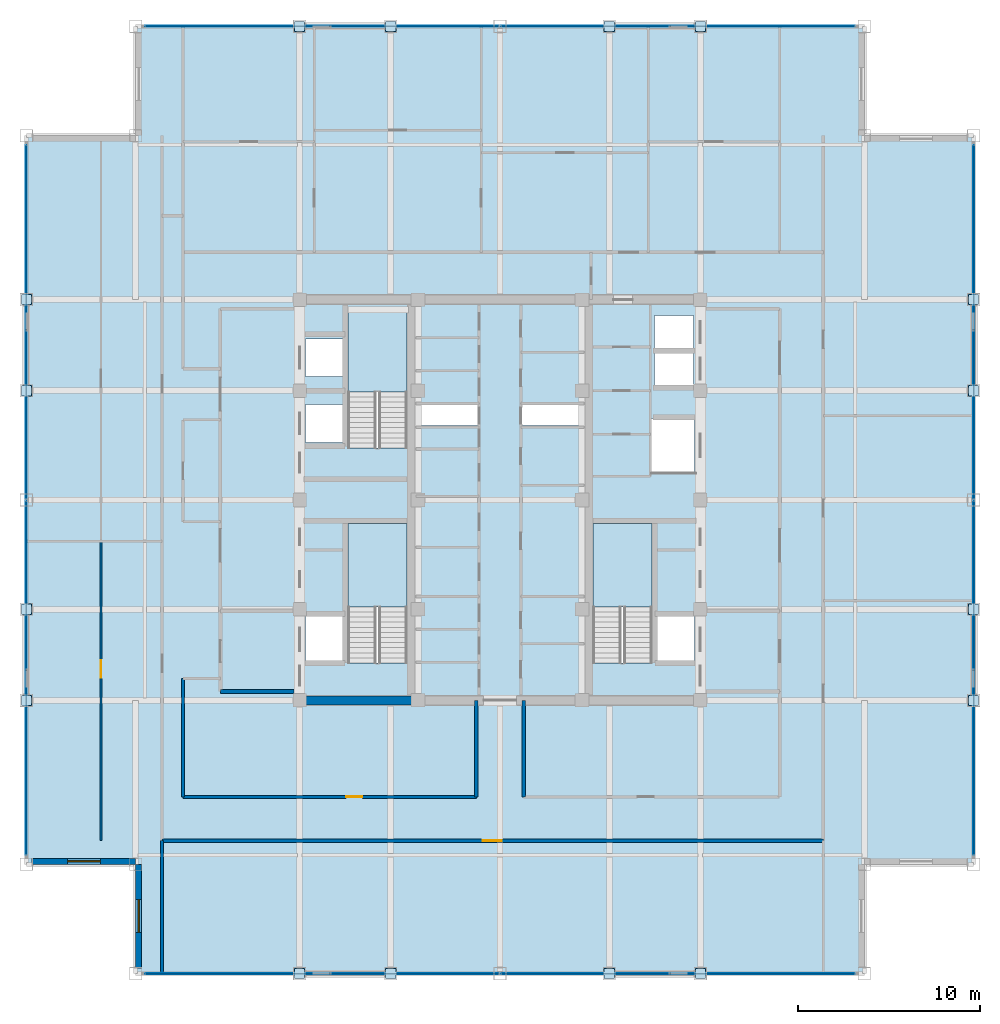
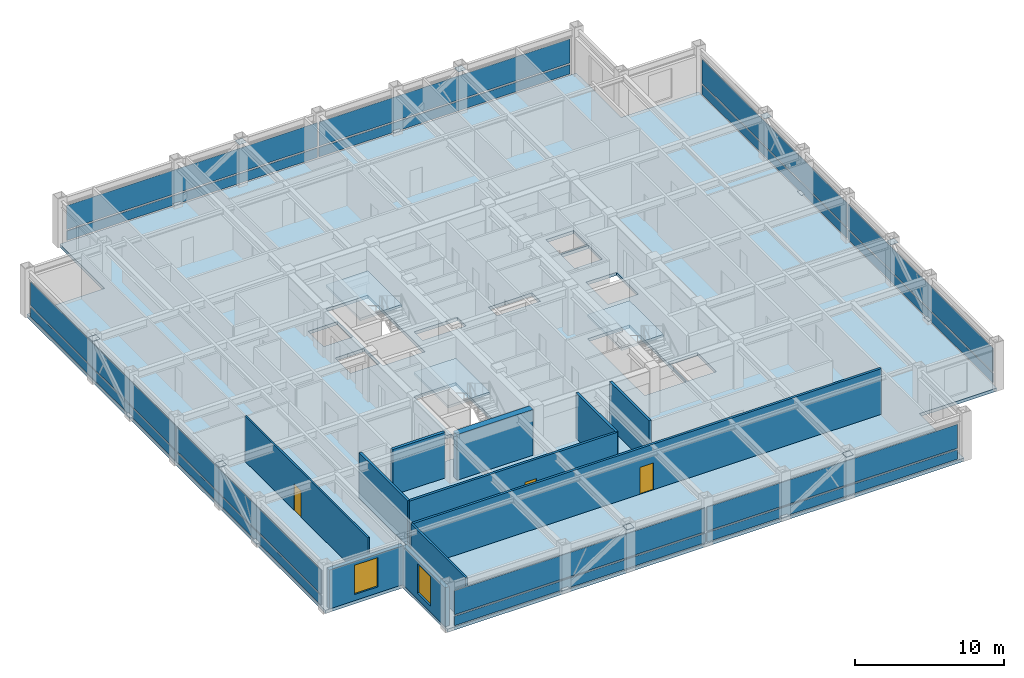
# One storey, part 23 of 29: 32 plates, 11 walls, 4 slabs, 3 doors, 2 windows, 5 openings, 7 elements without a shape of their own.
"""IFC4 building model written with IfcOpenShell, lengths in metres."""

from ifc_helpers import new_model, si_unit, direction, frame, frame_2d, origin, origin_2d, place, context, subcontext, project, spatial, polyline, rectangle, outline, extrude, source, transform, mapped, material, layer, layer_set, type_object, element, fill, aggregate, save


model = new_model("IFC4")

# Units and contexts
model_context = context("Model", 3, precision=1e-05, world=origin(), true_north=direction((0.0, 1.0)))
body_context = subcontext(model_context, "Body", "Model", "MODEL_VIEW")
ifc_project = project(units=[si_unit("LENGTHUNIT", "METRE"), si_unit("AREAUNIT", "SQUARE_METRE"), si_unit("VOLUMEUNIT", "CUBIC_METRE"), si_unit("PLANEANGLEUNIT", "RADIAN"), si_unit("MASSUNIT", "GRAM", prefix="KILO")], contexts=[model_context])

# Site, building, storey
site_placement = place(None, origin())
site = spatial("IfcSite", under=ifc_project, at=site_placement, CompositionType="ELEMENT")
building_placement = place(site_placement, origin())
building = spatial("IfcBuilding", under=site, at=building_placement, Name="Khorayat Bourse Tower", CompositionType="ELEMENT")
storey_placement = place(building_placement, frame((0.0, 0.0, 366.300048828125)))
storey = spatial("IfcBuildingStorey", under=building, at=storey_placement, Name="L87", CompositionType="ELEMENT", Elevation=366.300048828125)

# Stair, slab
ifc_material_1 = material(Name="Concrete C40/50", Category="concrete")
stair_type = type_object("IfcStairType", Name="STR-CORE-1550", PredefinedType="HALF_TURN_STAIR", material=ifc_material_1)
stair_1_placement = place(storey_placement, origin())
stair_1 = element("IfcStair", 1, at=stair_1_placement, inside=storey, type_object=stair_type, Name="L87 Exit Stair ST-1", PredefinedType="HALF_TURN_STAIR")
ifc_layer_1 = layer(ifc_material_1, 0.199951171875)
ifc_layer_set_1 = layer_set([ifc_layer_1], Name="Concrete C40/50")
slab_type_1 = type_object("IfcSlabType", Name="SLB-LANDING-200", PredefinedType="LANDING", material=ifc_layer_set_1)
slab_1_placement = place(storey_placement, frame((0.0, 0.0, 1.800048828125)))
slab_1 = element("IfcSlab", 2, at=slab_1_placement, type_object=slab_type_1, Name="ST-1 landing 1", PredefinedType="LANDING", context=body_context, shape_type="SweptSolid", body=[
    extrude(outline(polyline([(-5.10009765625, -5.8701171875), (-5.10009765625, -1.300048828125), (-8.35009765625, -1.300048828125), (-8.35009765625, -5.8701171875), (-5.10009765625, -5.8701171875)])), origin(), (0.0, 0.0, 1.0), 0.199951171875),
])
aggregate(stair_1, [slab_1])

stair_2_placement = place(storey_placement, origin())
stair_2 = element("IfcStair", 3, at=stair_2_placement, inside=storey, type_object=stair_type, Name="L87 Exit Stair ST-2", PredefinedType="HALF_TURN_STAIR")
slab_2_placement = place(storey_placement, frame((0.0, 0.0, 1.800048828125)))
slab_2 = element("IfcSlab", 4, at=slab_2_placement, type_object=slab_type_1, Name="ST-2 landing 1", PredefinedType="LANDING", context=body_context, shape_type="SweptSolid", body=[
    extrude(outline(polyline([(-5.10009765625, 5.929931640625), (-5.10009765625, 10.5), (-8.35009765625, 10.5), (-8.35009765625, 5.929931640625), (-5.10009765625, 5.929931640625)])), origin(), (0.0, 0.0, 1.0), 0.199951171875),
])
aggregate(stair_2, [slab_2])

stair_3_placement = place(storey_placement, origin())
stair_3 = element("IfcStair", 5, at=stair_3_placement, inside=storey, type_object=stair_type, Name="L87 Exit Stair ST-3", PredefinedType="HALF_TURN_STAIR")
slab_3_placement = place(storey_placement, frame((0.0, 0.0, 1.800048828125)))
slab_3 = element("IfcSlab", 6, at=slab_3_placement, type_object=slab_type_1, Name="ST-3 landing 1", PredefinedType="LANDING", context=body_context, shape_type="SweptSolid", body=[
    extrude(outline(polyline([(8.35009765625, -5.8701171875), (8.35009765625, -1.300048828125), (5.10009765625, -1.300048828125), (5.10009765625, -5.8701171875), (8.35009765625, -5.8701171875)])), origin(), (0.0, 0.0, 1.0), 0.199951171875),
])
aggregate(stair_3, [slab_3])

# Slab
ifc_layer_2 = layer(ifc_material_1, 0.219970703125)
ifc_layer_set_2 = layer_set([ifc_layer_2], Name="Concrete C40/50")
slab_type_2 = type_object("IfcSlabType", Name="SLB-OFFICE-220", PredefinedType="FLOOR", material=ifc_layer_set_2)
slab_4_placement = place(storey_placement, frame((0.0, 0.0, -0.260009765625)))
element("IfcSlab", 7, at=slab_4_placement, inside=storey, type_object=slab_type_2, Name="L87 Main Floor Slab", PredefinedType="FLOOR", context=body_context, shape_type="SweptSolid", body=[
    extrude(outline(polyline([(-20.0, -26.0), (20.0, -26.0), (20.0, -20.0), (26.0, -20.0), (26.0, 20.0), (20.0, 20.0), (20.0, 26.0), (-20.0, 26.0), (-20.0, 20.0), (-26.0, 20.0), (-26.0, -20.0), (-20.0, -20.0), (-20.0, -26.0)]), holes=[polyline([(-8.35009765625, -8.945068359375), (-5.10009765625, -8.945068359375), (-5.10009765625, -1.300048828125), (-8.35009765625, -1.300048828125), (-8.35009765625, -8.945068359375)]), polyline([(-8.35009765625, 2.85498046875), (-5.10009765625, 2.85498046875), (-5.10009765625, 10.5), (-8.35009765625, 10.5), (-8.35009765625, 2.85498046875)]), polyline([(5.10009765625, -8.945068359375), (8.35009765625, -8.945068359375), (8.35009765625, -1.300048828125), (5.10009765625, -1.300048828125), (5.10009765625, -8.945068359375)]), polyline([(-10.679931640625, 3.169921875), (-8.419921875, 3.169921875), (-8.419921875, 5.22998046875), (-10.679931640625, 5.22998046875), (-10.679931640625, 3.169921875)]), polyline([(-10.679931640625, 6.77001953125), (-8.419921875, 6.77001953125), (-8.419921875, 8.830078125), (-10.679931640625, 8.830078125), (-10.679931640625, 6.77001953125)]), polyline([(8.469970703125, 6.27001953125), (10.6298828125, 6.27001953125), (10.6298828125, 8.1298828125), (8.469970703125, 8.1298828125), (8.469970703125, 6.27001953125)]), polyline([(8.469970703125, 8.27001953125), (10.6298828125, 8.27001953125), (10.6298828125, 10.1298828125), (8.469970703125, 10.1298828125), (8.469970703125, 8.27001953125)]), polyline([(-10.679931640625, -8.929931640625), (-8.419921875, -8.929931640625), (-8.419921875, -6.3701171875), (-10.679931640625, -6.3701171875), (-10.679931640625, -8.929931640625)]), polyline([(8.419921875, -8.929931640625), (10.679931640625, -8.929931640625), (10.679931640625, -6.3701171875), (8.419921875, -6.3701171875), (8.419921875, -8.929931640625)]), polyline([(8.320068359375, 1.52001953125), (10.679931640625, 1.52001953125), (10.679931640625, 4.47998046875), (8.320068359375, 4.47998046875), (8.320068359375, 1.52001953125)]), polyline([(-4.56005859375, 4.080078125), (-1.18994140625, 4.080078125), (-1.18994140625, 5.219970703125), (-4.56005859375, 5.219970703125), (-4.56005859375, 4.080078125)]), polyline([(1.18994140625, 4.080078125), (4.56005859375, 4.080078125), (4.56005859375, 5.219970703125), (1.18994140625, 5.219970703125), (1.18994140625, 4.080078125)])]), origin(), (0.0, 0.0, 1.0), 0.260009765625),
])

# Plates
ifc_material_2 = material(Name="Steel EN 10025-2 S355J2", Category="steel")
ifc_layer_3 = layer(ifc_material_2, 0.02490234375)
ifc_layer_set_3 = layer_set([ifc_layer_3], Name="Steel EN 10025-2 S355J2")
plate_type_1 = type_object("IfcPlateType", Name="PLT-ENDCAP-25", PredefinedType="SHEET", material=ifc_layer_set_3)
shared_shape_1 = source(origin(), body_context, "Body", "SweptSolid", [
    extrude(rectangle(XDim=0.56005859375, YDim=0.56005859375, at=origin_2d()), origin(), (0.0, 0.0, 1.0), 0.02490234375),
])
for number, where, z_axis, x_axis, name in (
    (8, (-11.0, -26.0, 0.237548828125), (0.0, 0.0, 1.0), (1.0, 0.0, 0.0), "L87 Perimeter Brace End Plate 001"),
    (9, (-6.0, -26.0, 3.4775390625), (0.0, 0.0, 1.0), (1.0, 0.0, 0.0), "L87 Perimeter Brace End Plate 002"),
    (10, (6.0, -26.0, 0.237548828125), (0.0, 0.0, 1.0), (1.0, 0.0, 0.0), "L87 Perimeter Brace End Plate 003"),
    (11, (11.0, -26.0, 3.4775390625), (0.0, 0.0, 1.0), (1.0, 0.0, 0.0), "L87 Perimeter Brace End Plate 004"),
    (12, (-11.0, 26.0, 0.237548828125), (0.0, 0.0, 1.0), (1.0, 0.0, 0.0), "L87 Perimeter Brace End Plate 005"),
    (13, (-6.0, 26.0, 3.4775390625), (0.0, 0.0, 1.0), (1.0, 0.0, 0.0), "L87 Perimeter Brace End Plate 006"),
    (14, (6.0, 26.0, 0.237548828125), (0.0, 0.0, 1.0), (1.0, 0.0, 0.0), "L87 Perimeter Brace End Plate 007"),
    (15, (11.0, 26.0, 3.4775390625), (0.0, 0.0, 1.0), (1.0, 0.0, 0.0), "L87 Perimeter Brace End Plate 008"),
    (16, (-26.0, -11.0, 0.237548828125), (0.0, 0.0, 1.0), (1.0, 0.0, 0.0), "L87 Perimeter Brace End Plate 009"),
    (17, (-26.0, -6.0, 3.4775390625), (0.0, 0.0, 1.0), (1.0, 0.0, 0.0), "L87 Perimeter Brace End Plate 010"),
    (18, (-26.0, 6.0, 0.237548828125), (0.0, 0.0, 1.0), (1.0, 0.0, 0.0), "L87 Perimeter Brace End Plate 011"),
    (19, (-26.0, 11.0, 3.4775390625), (0.0, 0.0, 1.0), (1.0, 0.0, 0.0), "L87 Perimeter Brace End Plate 012"),
    (20, (26.0, -11.0, 0.237548828125), (0.0, 0.0, 1.0), (1.0, 0.0, 0.0), "L87 Perimeter Brace End Plate 013"),
    (21, (26.0, -6.0, 3.4775390625), (0.0, 0.0, 1.0), (1.0, 0.0, 0.0), "L87 Perimeter Brace End Plate 014"),
    (22, (26.0, 6.0, 0.237548828125), (0.0, 0.0, 1.0), (1.0, 0.0, 0.0), "L87 Perimeter Brace End Plate 015"),
    (23, (26.0, 11.0, 3.4775390625), (0.0, 0.0, 1.0), (1.0, 0.0, 0.0), "L87 Perimeter Brace End Plate 016"),
):
    element("IfcPlate", number, at=place(storey_placement, frame(where, z_axis=z_axis, x_axis=x_axis)), inside=storey, type_object=plate_type_1, Name=name, PredefinedType="SHEET", context=body_context, shape_type="MappedRepresentation", body=[
        mapped(shared_shape_1, transform((0.0, 0.0, 0.0), scale=1.0)),
    ])

# Curtain wall, plates
ifc_material_3 = material(Name="Aluminium EN AW-6063 T6", Category="aluminium")
curtain_wall_type = type_object("IfcCurtainWallType", Name="CW-SYS-04", PredefinedType="NOTDEFINED", material=ifc_material_3)
curtain_wall_1_placement = place(storey_placement, origin())
curtain_wall_1 = element("IfcCurtainWall", 24, at=curtain_wall_1_placement, inside=storey, type_object=curtain_wall_type, Name="L87 Curtain Wall CW-L87-S1", PredefinedType="NOTDEFINED")
ifc_material_4 = material(Name="Honed desert limestone insulated spandrel", Category="masonry")
ifc_layer_4 = layer(ifc_material_4, 0.06494140625)
ifc_layer_set_4 = layer_set([ifc_layer_4], Name="Honed desert limestone insulated spandrel")
plate_type_2 = type_object("IfcPlateType", Name="CWP-SPAND-03", PredefinedType="CURTAIN_PANEL", material=ifc_layer_set_4)
shared_shape_2 = source(origin(), body_context, "Body", "SweptSolid", [
    extrude(rectangle(XDim=19.419921875, YDim=0.06494140625, at=origin_2d()), origin(), (0.0, 0.0, 1.0), 0.77001953125),
])
plate_1_placement = place(storey_placement, frame((-9.77001953125, -26.0, 0.119873046875), z_axis=(0.0, 0.0, 1.0), x_axis=(1.0, 0.0, 0.0)))
plate_1 = element("IfcPlate", 25, at=plate_1_placement, type_object=plate_type_2, Name="CW-L87-S1 Spandrel Panel 1-1", PredefinedType="CURTAIN_PANEL", context=body_context, shape_type="MappedRepresentation", body=[
    mapped(shared_shape_2, transform((0.0, 0.0, 0.0), scale=1.0)),
])
plate_2_placement = place(storey_placement, frame((9.77001953125, -26.0, 0.119873046875), z_axis=(0.0, 0.0, 1.0), x_axis=(1.0, 0.0, 0.0)))
plate_2 = element("IfcPlate", 26, at=plate_2_placement, type_object=plate_type_2, Name="CW-L87-S1 Spandrel Panel 2-1", PredefinedType="CURTAIN_PANEL", context=body_context, shape_type="MappedRepresentation", body=[
    mapped(shared_shape_2, transform((0.0, 0.0, 0.0), scale=1.0)),
])

curtain_wall_2_placement = place(storey_placement, origin())
curtain_wall_2 = element("IfcCurtainWall", 27, at=curtain_wall_2_placement, inside=storey, type_object=curtain_wall_type, Name="L87 Curtain Wall CW-L87-N1", PredefinedType="NOTDEFINED")
plate_3_placement = place(storey_placement, frame((-9.77001953125, 26.0, 0.119873046875), z_axis=(0.0, 0.0, 1.0), x_axis=(1.0, 0.0, 0.0)))
plate_3 = element("IfcPlate", 28, at=plate_3_placement, type_object=plate_type_2, Name="CW-L87-N1 Spandrel Panel 1-1", PredefinedType="CURTAIN_PANEL", context=body_context, shape_type="MappedRepresentation", body=[
    mapped(shared_shape_2, transform((0.0, 0.0, 0.0), scale=1.0)),
])
plate_4_placement = place(storey_placement, frame((9.77001953125, 26.0, 0.119873046875), z_axis=(0.0, 0.0, 1.0), x_axis=(1.0, 0.0, 0.0)))
plate_4 = element("IfcPlate", 29, at=plate_4_placement, type_object=plate_type_2, Name="CW-L87-N1 Spandrel Panel 2-1", PredefinedType="CURTAIN_PANEL", context=body_context, shape_type="MappedRepresentation", body=[
    mapped(shared_shape_2, transform((0.0, 0.0, 0.0), scale=1.0)),
])

curtain_wall_3_placement = place(storey_placement, origin())
curtain_wall_3 = element("IfcCurtainWall", 30, at=curtain_wall_3_placement, inside=storey, type_object=curtain_wall_type, Name="L87 Curtain Wall CW-L87-W1", PredefinedType="NOTDEFINED")
plate_5_placement = place(storey_placement, frame((-26.0, -9.77001953125, 0.119873046875), z_axis=(0.0, 0.0, 1.0), x_axis=(0.0, 1.0, 0.0)))
plate_5 = element("IfcPlate", 31, at=plate_5_placement, type_object=plate_type_2, Name="CW-L87-W1 Spandrel Panel 1-1", PredefinedType="CURTAIN_PANEL", context=body_context, shape_type="MappedRepresentation", body=[
    mapped(shared_shape_2, transform((0.0, 0.0, 0.0), scale=1.0)),
])
plate_6_placement = place(storey_placement, frame((-26.0, 9.77001953125, 0.119873046875), z_axis=(0.0, 0.0, 1.0), x_axis=(0.0, 1.0, 0.0)))
plate_6 = element("IfcPlate", 32, at=plate_6_placement, type_object=plate_type_2, Name="CW-L87-W1 Spandrel Panel 2-1", PredefinedType="CURTAIN_PANEL", context=body_context, shape_type="MappedRepresentation", body=[
    mapped(shared_shape_2, transform((0.0, 0.0, 0.0), scale=1.0)),
])

curtain_wall_4_placement = place(storey_placement, origin())
curtain_wall_4 = element("IfcCurtainWall", 33, at=curtain_wall_4_placement, inside=storey, type_object=curtain_wall_type, Name="L87 Curtain Wall CW-L87-E1", PredefinedType="NOTDEFINED")
plate_7_placement = place(storey_placement, frame((26.0, -9.77001953125, 0.119873046875), z_axis=(0.0, 0.0, 1.0), x_axis=(0.0, 1.0, 0.0)))
plate_7 = element("IfcPlate", 34, at=plate_7_placement, type_object=plate_type_2, Name="CW-L87-E1 Spandrel Panel 1-1", PredefinedType="CURTAIN_PANEL", context=body_context, shape_type="MappedRepresentation", body=[
    mapped(shared_shape_2, transform((0.0, 0.0, 0.0), scale=1.0)),
])
plate_8_placement = place(storey_placement, frame((26.0, 9.77001953125, 0.119873046875), z_axis=(0.0, 0.0, 1.0), x_axis=(0.0, 1.0, 0.0)))
plate_8 = element("IfcPlate", 35, at=plate_8_placement, type_object=plate_type_2, Name="CW-L87-E1 Spandrel Panel 2-1", PredefinedType="CURTAIN_PANEL", context=body_context, shape_type="MappedRepresentation", body=[
    mapped(shared_shape_2, transform((0.0, 0.0, 0.0), scale=1.0)),
])

# Plate
ifc_material_5 = material(Name="Low-E solar-control laminated double glazing", Category="glass")
ifc_layer_5 = layer(ifc_material_5, 0.0419921875)
ifc_layer_set_5 = layer_set([ifc_layer_5], Name="Low-E solar-control laminated double glazing")
plate_type_3 = type_object("IfcPlateType", Name="CWP-FACET-02", PredefinedType="CURTAIN_PANEL", material=ifc_layer_set_5)
shared_shape_3 = source(origin(), body_context, "Body", "SweptSolid", [
    extrude(rectangle(XDim=19.419921875, YDim=0.0419921875, at=origin_2d()), origin(), (0.0, 0.0, 1.0), 1.9599609375),
])
plate_9_placement = place(storey_placement, frame((-9.77001953125, -26.0, 1.010009765625), z_axis=(0.0, 0.0, 1.0), x_axis=(1.0, 0.0, 0.0)))
plate_9 = element("IfcPlate", 36, at=plate_9_placement, type_object=plate_type_3, Name="CW-L87-S1 Vision Panel 1-2", PredefinedType="CURTAIN_PANEL", context=body_context, shape_type="MappedRepresentation", body=[
    mapped(shared_shape_3, transform((0.0, 0.0, 0.0), scale=1.0)),
])

plate_10_placement = place(storey_placement, frame((9.77001953125, -26.0, 1.010009765625), z_axis=(0.0, 0.0, 1.0), x_axis=(1.0, 0.0, 0.0)))
plate_10 = element("IfcPlate", 37, at=plate_10_placement, type_object=plate_type_3, Name="CW-L87-S1 Vision Panel 2-2", PredefinedType="CURTAIN_PANEL", context=body_context, shape_type="MappedRepresentation", body=[
    mapped(shared_shape_3, transform((0.0, 0.0, 0.0), scale=1.0)),
])

aggregate(curtain_wall_1, [plate_1, plate_9, plate_2, plate_10])

plate_11_placement = place(storey_placement, frame((-9.77001953125, 26.0, 1.010009765625), z_axis=(0.0, 0.0, 1.0), x_axis=(1.0, 0.0, 0.0)))
plate_11 = element("IfcPlate", 38, at=plate_11_placement, type_object=plate_type_3, Name="CW-L87-N1 Vision Panel 1-2", PredefinedType="CURTAIN_PANEL", context=body_context, shape_type="MappedRepresentation", body=[
    mapped(shared_shape_3, transform((0.0, 0.0, 0.0), scale=1.0)),
])

plate_12_placement = place(storey_placement, frame((9.77001953125, 26.0, 1.010009765625), z_axis=(0.0, 0.0, 1.0), x_axis=(1.0, 0.0, 0.0)))
plate_12 = element("IfcPlate", 39, at=plate_12_placement, type_object=plate_type_3, Name="CW-L87-N1 Vision Panel 2-2", PredefinedType="CURTAIN_PANEL", context=body_context, shape_type="MappedRepresentation", body=[
    mapped(shared_shape_3, transform((0.0, 0.0, 0.0), scale=1.0)),
])

aggregate(curtain_wall_2, [plate_3, plate_11, plate_4, plate_12])

plate_13_placement = place(storey_placement, frame((-26.0, -9.77001953125, 1.010009765625), z_axis=(0.0, 0.0, 1.0), x_axis=(0.0, 1.0, 0.0)))
plate_13 = element("IfcPlate", 40, at=plate_13_placement, type_object=plate_type_3, Name="CW-L87-W1 Vision Panel 1-2", PredefinedType="CURTAIN_PANEL", context=body_context, shape_type="MappedRepresentation", body=[
    mapped(shared_shape_3, transform((0.0, 0.0, 0.0), scale=1.0)),
])

plate_14_placement = place(storey_placement, frame((-26.0, 9.77001953125, 1.010009765625), z_axis=(0.0, 0.0, 1.0), x_axis=(0.0, 1.0, 0.0)))
plate_14 = element("IfcPlate", 41, at=plate_14_placement, type_object=plate_type_3, Name="CW-L87-W1 Vision Panel 2-2", PredefinedType="CURTAIN_PANEL", context=body_context, shape_type="MappedRepresentation", body=[
    mapped(shared_shape_3, transform((0.0, 0.0, 0.0), scale=1.0)),
])

aggregate(curtain_wall_3, [plate_5, plate_13, plate_6, plate_14])

plate_15_placement = place(storey_placement, frame((26.0, -9.77001953125, 1.010009765625), z_axis=(0.0, 0.0, 1.0), x_axis=(0.0, 1.0, 0.0)))
plate_15 = element("IfcPlate", 42, at=plate_15_placement, type_object=plate_type_3, Name="CW-L87-E1 Vision Panel 1-2", PredefinedType="CURTAIN_PANEL", context=body_context, shape_type="MappedRepresentation", body=[
    mapped(shared_shape_3, transform((0.0, 0.0, 0.0), scale=1.0)),
])

plate_16_placement = place(storey_placement, frame((26.0, 9.77001953125, 1.010009765625), z_axis=(0.0, 0.0, 1.0), x_axis=(0.0, 1.0, 0.0)))
plate_16 = element("IfcPlate", 43, at=plate_16_placement, type_object=plate_type_3, Name="CW-L87-E1 Vision Panel 2-2", PredefinedType="CURTAIN_PANEL", context=body_context, shape_type="MappedRepresentation", body=[
    mapped(shared_shape_3, transform((0.0, 0.0, 0.0), scale=1.0)),
])

aggregate(curtain_wall_4, [plate_7, plate_15, plate_8, plate_16])

# Wall
ifc_material_6 = material(Name="Concrete C52/65", Category="concrete")
ifc_layer_6 = layer(ifc_material_6, 0.5)
ifc_layer_set_6 = layer_set([ifc_layer_6], Name="Concrete C52/65")
wall_type_1 = type_object("IfcWallType", Name="WAL-CORE-500", PredefinedType="SHEAR", material=ifc_layer_set_6)
shared_shape_4 = source(origin(), body_context, "Body", "SweptSolid", [
    extrude(rectangle(XDim=5.89990234375, YDim=0.5, at=frame_2d((2.949951171875, 0.0))), origin(), (0.0, 0.0, 1.0), 3.739990234375),
])
wall_1_placement = place(storey_placement, frame((-10.75, -11.0, 0.0), z_axis=(0.0, 0.0, 1.0), x_axis=(1.0, 0.0, 0.0)))
element("IfcWall", 44, at=wall_1_placement, inside=storey, type_object=wall_type_1, Name="L87 Core Shear Wall PIER-WS", PredefinedType="SHEAR", context=body_context, shape_type="MappedRepresentation", body=[
    mapped(shared_shape_4, transform((0.0, 0.0, 0.0), scale=1.0)),
])

# Wall, opening, window
ifc_material_7 = material(Name="Precast concrete C45/55", Category="concrete")
ifc_layer_7 = layer(ifc_material_7, 0.320068359375)
ifc_layer_set_7 = layer_set([ifc_layer_7], Name="Precast concrete C45/55")
wall_type_2 = type_object("IfcWallType", Name="WAL-EXT-STONE-320", PredefinedType="STANDARD", material=ifc_layer_set_7)
shared_shape_5 = source(origin(), body_context, "Body", "SweptSolid", [
    extrude(rectangle(XDim=5.679931640625, YDim=0.320068359375, at=frame_2d((2.83984375, 0.0))), origin(), (0.0, 0.0, 1.0), 3.19091796875),
])
wall_2_placement = place(storey_placement, frame((-20.0, -19.840087890625, 0.0), z_axis=(0.0, 0.0, 1.0), x_axis=(-1.0, 0.0, 0.0)))
wall_2 = element("IfcWall", 45, at=wall_2_placement, inside=storey, type_object=wall_type_2, Name="L87 Re-Entrant Notch Limestone Wall SW-H", PredefinedType="STANDARD", context=body_context, shape_type="MappedRepresentation", body=[
    mapped(shared_shape_5, transform((0.0, 0.0, 0.0), scale=1.0)),
])
shared_shape_6 = source(origin(), body_context, "Body", "SweptSolid", [
    extrude(rectangle(XDim=1.800048828125, YDim=2.39990234375, at=frame_2d((0.89990234375, 1.199951171875))), frame((0.0, 0.169921875, 0.0), z_axis=(0.0, -1.0, 0.0), x_axis=(1.0, 0.0, 0.0)), (0.0, 0.0, 1.0), 0.340087890625),
])
opening_1_placement = place(wall_2_placement, frame((1.93994140625, 0.0, 0.5)))
opening_1 = element("IfcOpeningElement", 46, at=opening_1_placement, cuts=wall_2, Name="Opening WN-04", PredefinedType="OPENING", context=body_context, shape_type="MappedRepresentation", body=[
    mapped(shared_shape_6, transform((0.0, 0.0, 0.0), scale=1.0)),
])
ifc_material_8 = material(Name="Low-E acoustic laminated double glazing", Category="glass")
window_type = type_object("IfcWindowType", Name="WIN-NOTCH-1800x2400", PartitioningType="SINGLE_PANEL", PredefinedType="WINDOW", material=ifc_material_8)
shared_shape_7 = source(origin(), body_context, "Body", "SweptSolid", [
    extrude(rectangle(XDim=1.800048828125, YDim=2.39990234375, at=frame_2d((0.89990234375, 1.199951171875))), frame((0.0, 0.030029296875, 0.0), z_axis=(0.0, -1.0, 0.0), x_axis=(1.0, 0.0, 0.0)), (0.0, 0.0, 1.0), 0.06005859375),
])
window_1_placement = place(opening_1_placement, origin())
window_1 = element("IfcWindow", 47, at=window_1_placement, inside=storey, type_object=window_type, Name="L87 Facade Window 1", OverallHeight=2.39990234375, OverallWidth=1.800048828125, PartitioningType="SINGLE_PANEL", PredefinedType="WINDOW", context=body_context, shape_type="MappedRepresentation", body=[
    mapped(shared_shape_7, transform((0.0, 0.0, 0.0), scale=1.0)),
])
fill(opening_1, window_1)

wall_3_placement = place(storey_placement, frame((-19.840087890625, -25.679931640625, 0.0), z_axis=(0.0, 0.0, 1.0), x_axis=(0.0, 1.0, 0.0)))
wall_3 = element("IfcWall", 48, at=wall_3_placement, inside=storey, type_object=wall_type_2, Name="L87 Re-Entrant Notch Limestone Wall SW-V", PredefinedType="STANDARD", context=body_context, shape_type="MappedRepresentation", body=[
    mapped(shared_shape_5, transform((0.0, 0.0, 0.0), scale=1.0)),
])
opening_2_placement = place(wall_3_placement, frame((1.93994140625, 0.0, 0.5)))
opening_2 = element("IfcOpeningElement", 49, at=opening_2_placement, cuts=wall_3, Name="Opening WN-04", PredefinedType="OPENING", context=body_context, shape_type="MappedRepresentation", body=[
    mapped(shared_shape_6, transform((0.0, 0.0, 0.0), scale=1.0)),
])
window_2_placement = place(opening_2_placement, origin())
window_2 = element("IfcWindow", 50, at=window_2_placement, inside=storey, type_object=window_type, Name="L87 Facade Window 1", OverallHeight=2.39990234375, OverallWidth=1.800048828125, PartitioningType="SINGLE_PANEL", PredefinedType="WINDOW", context=body_context, shape_type="MappedRepresentation", body=[
    mapped(shared_shape_7, transform((0.0, 0.0, 0.0), scale=1.0)),
])
fill(opening_2, window_2)

# Wall
ifc_material_9 = material(Name="Aerated concrete blockwork", Category="masonry")
ifc_layer_8 = layer(ifc_material_9, 0.219970703125)
ifc_layer_set_8 = layer_set([ifc_layer_8], Name="Aerated concrete blockwork")
wall_type_3 = type_object("IfcWallType", Name="WAL-PART-FF-220", PredefinedType="PARTITIONING", material=ifc_layer_set_8)
shared_shape_8 = source(origin(), body_context, "Body", "SweptSolid", [
    extrude(rectangle(XDim=4.050048828125, YDim=0.219970703125, at=frame_2d((2.02490234375, 0.0))), origin(), (0.0, 0.0, 1.0), 3.739990234375),
])
wall_4_placement = place(storey_placement, frame((-15.35009765625, -10.5, 0.0), z_axis=(0.0, 0.0, 1.0), x_axis=(1.0, 0.0, 0.0)))
element("IfcWall", 51, at=wall_4_placement, inside=storey, type_object=wall_type_3, Name="L87 Partition WAL-L87-FFLW-S", PredefinedType="PARTITIONING", context=body_context, shape_type="MappedRepresentation", body=[
    mapped(shared_shape_8, transform((0.0, 0.0, 0.0), scale=1.0)),
])

# Wall, opening, door
ifc_material_10 = material(Name="Gypsum plasterboard acoustic stud wall")
ifc_layer_9 = layer(ifc_material_10, 0.179931640625)
ifc_layer_set_9 = layer_set([ifc_layer_9], Name="Gypsum plasterboard acoustic stud wall")
wall_type_4 = type_object("IfcWallType", Name="WAL-PART-CORR-180", PredefinedType="PARTITIONING", material=ifc_layer_set_9)
shared_shape_9 = source(origin(), body_context, "Body", "SweptSolid", [
    extrude(rectangle(XDim=16.099853515625, YDim=0.179931640625, at=frame_2d((8.0498046875, 0.0))), origin(), (0.0, 0.0, 1.0), 3.739990234375),
])
wall_5_placement = place(storey_placement, frame((-17.39990234375, -16.300048828125, 0.0), z_axis=(0.0, 0.0, 1.0), x_axis=(1.0, 0.0, 0.0)))
wall_5 = element("IfcWall", 52, at=wall_5_placement, inside=storey, type_object=wall_type_4, Name="L87 Partition WAL-L87-PKSW-S", PredefinedType="PARTITIONING", context=body_context, shape_type="MappedRepresentation", body=[
    mapped(shared_shape_9, transform((0.0, 0.0, 0.0), scale=1.0)),
])
shared_shape_10 = source(origin(), body_context, "Body", "SweptSolid", [
    extrude(rectangle(XDim=0.89990234375, YDim=2.14990234375, at=frame_2d((0.449951171875, 1.074951171875))), frame((0.0, 0.099853515625, 0.0), z_axis=(0.0, -1.0, 0.0), x_axis=(1.0, 0.0, 0.0)), (0.0, 0.0, 1.0), 0.199951171875),
])
opening_3_placement = place(wall_5_placement, frame((8.949951171875, 0.0, 0.0)))
opening_3 = element("IfcOpeningElement", 53, at=opening_3_placement, cuts=wall_5, Name="Opening DI-06", PredefinedType="OPENING", context=body_context, shape_type="MappedRepresentation", body=[
    mapped(shared_shape_10, transform((0.0, 0.0, 0.0), scale=1.0)),
])
ifc_material_11 = material(Name="Moisture-resistant laminate washroom door")
door_type_1 = type_object("IfcDoorType", Name="DR-INT-WC-900", OperationType="NOTDEFINED", PredefinedType="DOOR", material=ifc_material_11)
shared_shape_11 = source(origin(), body_context, "Body", "SweptSolid", [
    extrude(rectangle(XDim=0.89990234375, YDim=2.14990234375, at=frame_2d((0.449951171875, 1.074951171875))), frame((0.0, 0.02490234375, 0.0), z_axis=(0.0, -1.0, 0.0), x_axis=(1.0, 0.0, 0.0)), (0.0, 0.0, 1.0), 0.050048828125),
])
door_1_placement = place(opening_3_placement, origin())
door_1 = element("IfcDoor", 54, at=door_1_placement, inside=storey, type_object=door_type_1, Name="L87 SW Inboard Pantry Door", OperationType="SINGLE_SWING_LEFT", OverallHeight=2.14990234375, OverallWidth=0.89990234375, PredefinedType="DOOR", context=body_context, shape_type="MappedRepresentation", body=[
    mapped(shared_shape_11, transform((0.0, 0.0, 0.0), scale=1.0)),
])
fill(opening_3, door_1)

# Wall
shared_shape_12 = source(origin(), body_context, "Body", "SweptSolid", [
    extrude(rectangle(XDim=6.5, YDim=0.179931640625, at=frame_2d((3.25, 0.0))), origin(), (0.0, 0.0, 1.0), 3.739990234375),
])
wall_6_placement = place(storey_placement, frame((-17.39990234375, -16.300048828125, 0.0), z_axis=(0.0, 0.0, 1.0), x_axis=(0.0, 1.0, 0.0)))
element("IfcWall", 55, at=wall_6_placement, inside=storey, type_object=wall_type_4, Name="L87 Partition WAL-L87-PKSW-W", PredefinedType="PARTITIONING", context=body_context, shape_type="MappedRepresentation", body=[
    mapped(shared_shape_12, transform((0.0, 0.0, 0.0), scale=1.0)),
])

# Wall, opening, door
shared_shape_13 = source(origin(), body_context, "Body", "SweptSolid", [
    extrude(rectangle(XDim=36.300048828125, YDim=0.179931640625, at=frame_2d((18.14990234375, 0.0))), origin(), (0.0, 0.0, 1.0), 3.739990234375),
])
wall_7_placement = place(storey_placement, frame((-18.550048828125, -18.699951171875, 0.0), z_axis=(0.0, 0.0, 1.0), x_axis=(1.0, 0.0, 0.0)))
wall_7 = element("IfcWall", 56, at=wall_7_placement, inside=storey, type_object=wall_type_4, Name="L87 Partition WAL-L87-SCORR", PredefinedType="PARTITIONING", context=body_context, shape_type="MappedRepresentation", body=[
    mapped(shared_shape_13, transform((0.0, 0.0, 0.0), scale=1.0)),
])
shared_shape_14 = source(origin(), body_context, "Body", "SweptSolid", [
    extrude(rectangle(XDim=1.050048828125, YDim=2.199951171875, at=frame_2d((0.52490234375, 1.10009765625))), frame((0.0, 0.099853515625, 0.0), z_axis=(0.0, -1.0, 0.0), x_axis=(1.0, 0.0, 0.0)), (0.0, 0.0, 1.0), 0.199951171875),
])
opening_4_placement = place(wall_7_placement, frame((17.60009765625, 0.0, 0.0)))
opening_4 = element("IfcOpeningElement", 57, at=opening_4_placement, cuts=wall_7, Name="Opening DI-04", PredefinedType="OPENING", context=body_context, shape_type="MappedRepresentation", body=[
    mapped(shared_shape_14, transform((0.0, 0.0, 0.0), scale=1.0)),
])
ifc_material_12 = material(Name="Fire-rated oak veneer suite entrance door")
door_type_2 = type_object("IfcDoorType", Name="DR-INT-SUITE-1050", OperationType="NOTDEFINED", PredefinedType="DOOR", material=ifc_material_12)
shared_shape_15 = source(origin(), body_context, "Body", "SweptSolid", [
    extrude(rectangle(XDim=1.050048828125, YDim=2.199951171875, at=frame_2d((0.52490234375, 1.10009765625))), frame((0.0, 0.02490234375, 0.0), z_axis=(0.0, -1.0, 0.0), x_axis=(1.0, 0.0, 0.0)), (0.0, 0.0, 1.0), 0.050048828125),
])
door_2_placement = place(opening_4_placement, origin())
door_2 = element("IfcDoor", 58, at=door_2_placement, inside=storey, type_object=door_type_2, Name="L87 Issuer Listing Showroom S1 Door", OperationType="SINGLE_SWING_RIGHT", OverallHeight=2.199951171875, OverallWidth=1.050048828125, PredefinedType="DOOR", context=body_context, shape_type="MappedRepresentation", body=[
    mapped(shared_shape_15, transform((0.0, 0.0, 0.0), scale=1.0)),
])
fill(opening_4, door_2)

# Walls
shared_shape_16 = source(origin(), body_context, "Body", "SweptSolid", [
    extrude(rectangle(XDim=5.300048828125, YDim=0.179931640625, at=frame_2d((2.64990234375, 0.0))), origin(), (0.0, 0.0, 1.0), 3.739990234375),
])
for number, where, z_axis, x_axis, name in (
    (59, (-1.300048828125, -16.300048828125, 0.0), (0.0, 0.0, 1.0), (0.0, 1.0, 0.0), "L87 Partition WAL-L87-PKSW-E"),
    (60, (1.300048828125, -16.300048828125, 0.0), (0.0, 0.0, 1.0), (0.0, 1.0, 0.0), "L87 Partition WAL-L87-PKSE-W"),
):
    element("IfcWall", number, at=place(storey_placement, frame(where, z_axis=z_axis, x_axis=x_axis)), inside=storey, type_object=wall_type_4, Name=name, PredefinedType="PARTITIONING", context=body_context, shape_type="MappedRepresentation", body=[
        mapped(shared_shape_16, transform((0.0, 0.0, 0.0), scale=1.0)),
    ])
ifc_material_13 = material(Name="Gypsum plasterboard twin-frame partition")
ifc_layer_10 = layer(ifc_material_13, 0.14990234375)
ifc_layer_set_10 = layer_set([ifc_layer_10], Name="Gypsum plasterboard twin-frame partition")
wall_type_5 = type_object("IfcWallType", Name="WAL-PART-SUITE-150", PredefinedType="PARTITIONING", material=ifc_layer_set_10)
shared_shape_17 = source(origin(), body_context, "Body", "SweptSolid", [
    extrude(rectangle(XDim=7.300048828125, YDim=0.14990234375, at=frame_2d((3.64990234375, 0.0))), origin(), (0.0, 0.0, 1.0), 3.739990234375),
])
wall_8_placement = place(storey_placement, frame((-18.550048828125, -26.0, 0.0), z_axis=(0.0, 0.0, 1.0), x_axis=(0.0, 1.0, 0.0)))
element("IfcWall", 61, at=wall_8_placement, inside=storey, type_object=wall_type_5, Name="L87 Partition WAL-L87-SCW-END", PredefinedType="PARTITIONING", context=body_context, shape_type="MappedRepresentation", body=[
    mapped(shared_shape_17, transform((0.0, 0.0, 0.0), scale=1.0)),
])

# Wall, opening, door
ifc_material_14 = material(Name="Gypsum plasterboard partition")
ifc_layer_11 = layer(ifc_material_14, 0.125)
ifc_layer_set_11 = layer_set([ifc_layer_11], Name="Gypsum plasterboard partition")
wall_type_6 = type_object("IfcWallType", Name="WAL-PART-ROOM-125", PredefinedType="PARTITIONING", material=ifc_layer_set_11)
shared_shape_18 = source(origin(), body_context, "Body", "SweptSolid", [
    extrude(rectangle(XDim=16.43603515625, YDim=0.125, at=frame_2d((8.218017578125, 0.0))), origin(), (0.0, 0.0, 1.0), 3.739990234375),
])
wall_9_placement = place(storey_placement, frame((-21.902587890625, -18.699951171875, 0.0), z_axis=(0.0, 0.0, 1.0), x_axis=(0.0, 1.0, 0.0)))
wall_9 = element("IfcWall", 62, at=wall_9_placement, inside=storey, type_object=wall_type_6, Name="L87 Partition WAL-L87-WDP-1", PredefinedType="PARTITIONING", context=body_context, shape_type="MappedRepresentation", body=[
    mapped(shared_shape_18, transform((0.0, 0.0, 0.0), scale=1.0)),
])
shared_shape_19 = source(origin(), body_context, "Body", "SweptSolid", [
    extrude(rectangle(XDim=0.949951171875, YDim=2.14990234375, at=frame_2d((0.47509765625, 1.074951171875))), frame((0.0, 0.072509765625, 0.0), z_axis=(0.0, -1.0, 0.0), x_axis=(1.0, 0.0, 0.0)), (0.0, 0.0, 1.0), 0.14501953125),
])
opening_5_placement = place(wall_9_placement, frame((8.943115234375, 0.0, 0.0)))
opening_5 = element("IfcOpeningElement", 63, at=opening_5_placement, cuts=wall_9, Name="Opening DI-05", PredefinedType="OPENING", context=body_context, shape_type="MappedRepresentation", body=[
    mapped(shared_shape_19, transform((0.0, 0.0, 0.0), scale=1.0)),
])
ifc_material_15 = material(Name="Acoustic oak veneer office door")
door_type_3 = type_object("IfcDoorType", Name="DR-INT-OFFICE-950", OperationType="NOTDEFINED", PredefinedType="DOOR", material=ifc_material_15)
shared_shape_20 = source(origin(), body_context, "Body", "SweptSolid", [
    extrude(rectangle(XDim=0.949951171875, YDim=2.14990234375, at=frame_2d((0.47509765625, 1.074951171875))), frame((0.0, 0.02490234375, 0.0), z_axis=(0.0, -1.0, 0.0), x_axis=(1.0, 0.0, 0.0)), (0.0, 0.0, 1.0), 0.050048828125),
])
door_3_placement = place(opening_5_placement, origin())
door_3 = element("IfcDoor", 64, at=door_3_placement, inside=storey, type_object=door_type_3, Name="L87 Issuer Listing Showroom W1B Door", OperationType="SINGLE_SWING_RIGHT", OverallHeight=2.14990234375, OverallWidth=0.949951171875, PredefinedType="DOOR", context=body_context, shape_type="MappedRepresentation", body=[
    mapped(shared_shape_20, transform((0.0, 0.0, 0.0), scale=1.0)),
])
fill(opening_5, door_3)

save(model, "model.ifc")
